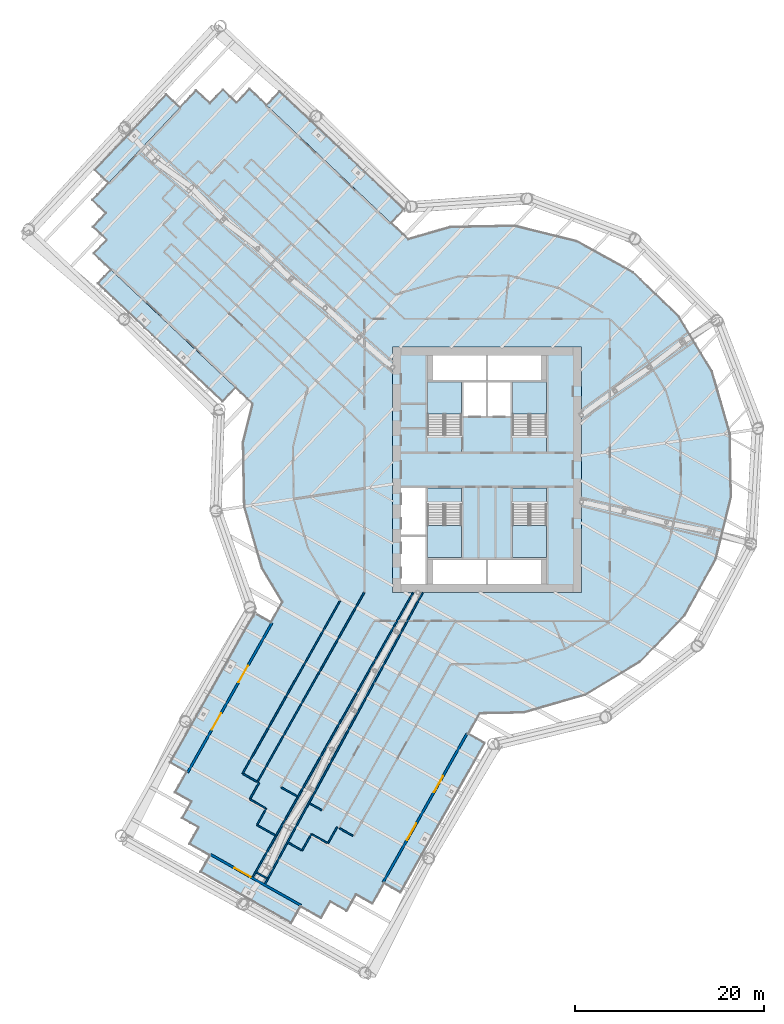
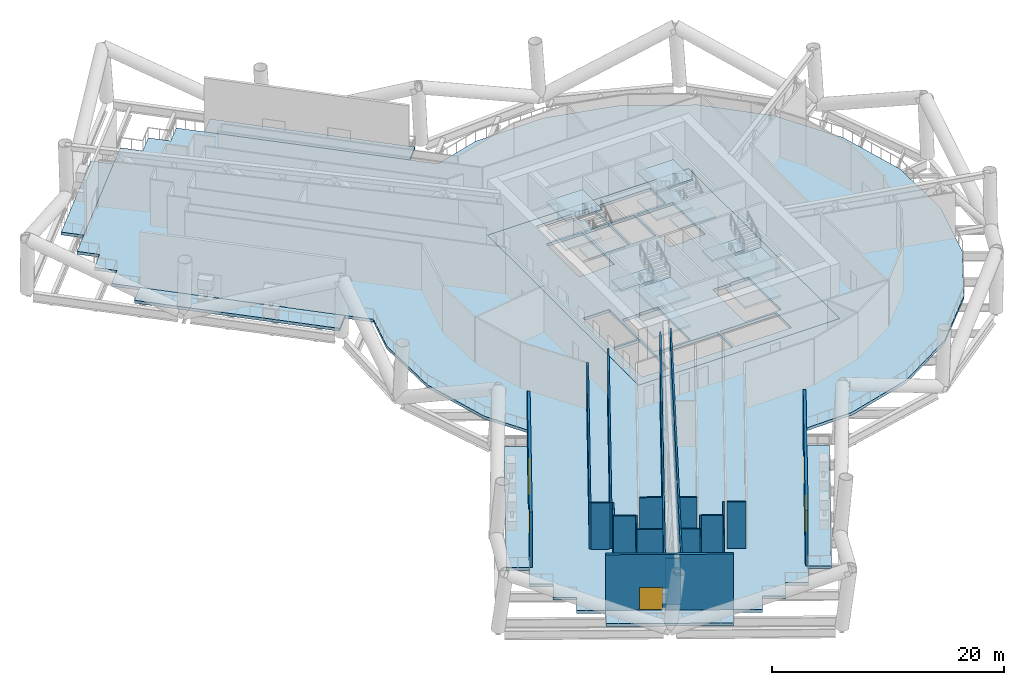
# One storey, part 13 of 39: 20 slabs, 20 walls, 5 doors, 5 openings, 4 elements without a shape of their own.
"""IFC4 building model written with IfcOpenShell, lengths in metres."""

import ifcopenshell
import ifcopenshell.guid

model = None  # the IFC model being written
_history = None  # IfcOwnerHistory: only IFC2X3 demands one
_inside = {}  # id of a spatial element -> (the spatial element, [elements in it])
_under = {}  # id of a project, library or spatial element -> (it, [spatial elements below it])
_declared = {}  # id of a project -> (the project, [libraries it declares])
_typed = {}  # id of a type object -> (the type object, [elements of that type])
_made_of = {}  # id of a material, layer set ... -> (it, [elements and type objects made of it])


def new_model(schema):
    """Start an empty IFC model of exactly this schema.

    Asked for "IFC4X3", IfcOpenShell would pick the latest addendum, in which some entities
    have other attributes; the version numbers below select the first issue.
    IFC2X3 requires an IfcOwnerHistory on every rooted entity: one is made here for all.
    """
    global model, _history
    if schema == "IFC4X3":
        model = ifcopenshell.file(schema_version=(4, 3, 0, 0))
    else:
        model = ifcopenshell.file(schema=schema)
    _inside.clear()
    _under.clear()
    _declared.clear()
    _typed.clear()
    _made_of.clear()
    _history = None
    if model.schema == "IFC2X3":
        org = make("IfcOrganization", Name="unknown")
        user = make(
            "IfcPersonAndOrganization",
            ThePerson=make("IfcPerson", FamilyName="unknown"),
            TheOrganization=org,
        )
        app = make(
            "IfcApplication",
            ApplicationDeveloper=org,
            Version="unknown",
            ApplicationFullName="unknown",
            ApplicationIdentifier="unknown",
        )
        _history = make(
            "IfcOwnerHistory",
            OwningUser=user,
            OwningApplication=app,
            ChangeAction="ADDED",
            CreationDate=0,
        )
    return model


def make(cls, **values):
    """One entity of the class cls with the attributes given. An attribute that is None is left unset."""
    return model.create_entity(
        cls, **{name: value for name, value in values.items() if value is not None}
    )


def rooted(cls, **values):
    """An entity with a GlobalId (a new one), such as an element, a storey or a relation."""
    return make(cls, GlobalId=ifcopenshell.guid.new(), OwnerHistory=_history, **values)


def si_unit(unit_type, name, prefix=None):
    """IfcSIUnit, for example si_unit("LENGTHUNIT", "METRE", prefix="MILLI")."""
    return make("IfcSIUnit", UnitType=unit_type, Prefix=prefix, Name=name)


def assignment(units):
    """IfcUnitAssignment: the units of a project."""
    return None if units is None else make("IfcUnitAssignment", Units=units)


def point(xyz):
    """IfcCartesianPoint."""
    return None if xyz is None else make("IfcCartesianPoint", Coordinates=xyz)


def direction(xyz):
    """IfcDirection."""
    return None if xyz is None else make("IfcDirection", DirectionRatios=xyz)


def frame(location, z_axis=None, x_axis=None):
    """IfcAxis2Placement3D, a coordinate frame: its origin and axes. An axis left out is left unset."""
    return make(
        "IfcAxis2Placement3D",
        Location=point(location),
        Axis=direction(z_axis),
        RefDirection=direction(x_axis),
    )


def frame_2d(location, x_axis=None):
    """IfcAxis2Placement2D, a coordinate frame in the plane: its origin and x axis."""
    return make(
        "IfcAxis2Placement2D", Location=point(location), RefDirection=direction(x_axis)
    )


def origin():
    """The frame at (0, 0, 0) with its axes left unset."""
    return frame((0.0, 0.0, 0.0))


def place(relative_to, where):
    """IfcLocalPlacement: puts the frame where relative to a parent placement (None: the world)."""
    return make(
        "IfcLocalPlacement", PlacementRelTo=relative_to, RelativePlacement=where
    )


def context(
    kind, dimensions, precision=None, world=None, true_north=None, identifier=None
):
    """IfcGeometricRepresentationContext, for example the 3D "Model" context."""
    return make(
        "IfcGeometricRepresentationContext",
        ContextIdentifier=identifier,
        ContextType=kind,
        CoordinateSpaceDimension=dimensions,
        Precision=precision,
        WorldCoordinateSystem=world,
        TrueNorth=true_north,
    )


def subcontext(parent, identifier, kind, view, scale=None):
    """IfcGeometricRepresentationSubContext, for example "Body" below "Model"."""
    return make(
        "IfcGeometricRepresentationSubContext",
        ContextIdentifier=identifier,
        ContextType=kind,
        ParentContext=parent,
        TargetScale=scale,
        TargetView=view,
    )


def project(units=None, contexts=None):
    """IfcProject with its units and contexts."""
    return rooted(
        "IfcProject",
        Name="project",
        RepresentationContexts=contexts,
        UnitsInContext=assignment(units),
    )


def spatial(cls, under=None, at=None, **own):
    """A site, building, storey or space (cls), placed at a placement, below another one or the project."""
    s = rooted(cls, ObjectPlacement=at, **own)
    if under is not None:
        _under.setdefault(under.id(), (under, []))[1].append(s)
    return s


def polyline(points):
    """IfcPolyline through the points."""
    return make("IfcPolyline", Points=[point(p) for p in points])


def profile(cls, at=None, kind="AREA", **sizes):
    """A parametric profile (cls). Its sizes go by their IFC names, for example OverallWidth=200.0."""
    return make(cls, ProfileType=kind, Position=at, **sizes)


def rectangle(**sizes):
    """IfcRectangleProfileDef."""
    return profile("IfcRectangleProfileDef", **sizes)


def outline(outer, holes=None, kind="AREA"):
    """IfcArbitraryClosedProfileDef: a profile drawn as a closed curve; with holes, ...WithVoids."""
    if holes is None:
        return make("IfcArbitraryClosedProfileDef", ProfileType=kind, OuterCurve=outer)
    return make(
        "IfcArbitraryProfileDefWithVoids",
        ProfileType=kind,
        OuterCurve=outer,
        InnerCurves=holes,
    )


def extrude(swept, where, along, depth):
    """IfcExtrudedAreaSolid: the profile swept, set in the frame where, extruded along a direction by depth."""
    return make(
        "IfcExtrudedAreaSolid",
        SweptArea=swept,
        Position=where,
        ExtrudedDirection=direction(along),
        Depth=depth,
    )


def shape(context_of_items, identifier, shape_type, items):
    """IfcShapeRepresentation: the items that make up one representation, for example the "Body"."""
    return make(
        "IfcShapeRepresentation",
        ContextOfItems=context_of_items,
        RepresentationIdentifier=identifier,
        RepresentationType=shape_type,
        Items=items,
    )


def material(Name=None, Category=None):
    """IfcMaterial."""
    return make("IfcMaterial", Name=Name, Category=Category)


def layer(
    of_material, thickness, ventilated=None, Name=None, Category=None, Priority=None
):
    """IfcMaterialLayer: one layer of a wall or slab, of a material (None: an air gap)."""
    return make(
        "IfcMaterialLayer",
        Material=of_material,
        LayerThickness=thickness,
        IsVentilated=ventilated,
        Name=Name,
        Category=Category,
        Priority=Priority,
    )


def layer_set(layers, Name=None):
    """IfcMaterialLayerSet."""
    return make("IfcMaterialLayerSet", MaterialLayers=layers, LayerSetName=Name)


def made_of(thing, what):
    """Note that an element or type object is made of a material, layer set ...; save() writes the relation."""
    if what is not None:
        _made_of.setdefault(what.id(), (what, []))[1].append(thing)
    return thing


def type_object(cls, material=None, **own):
    """A type object (cls), such as IfcWallType, which elements share."""
    return made_of(rooted(cls, **own), material)


def element(
    cls,
    number,
    at=None,
    inside=None,
    cuts=None,
    type_object=None,
    material=None,
    context=None,
    identifier="Body",
    shape_type=None,
    held_by="IfcProductDefinitionShape",
    body=None,
    shapes=None,
    **own,
):
    """One element of the class cls, such as IfcWall. Its Tag is "e" and its number.

    at: its placement. inside: the storey or other place that contains it. cuts: it is an
    opening in that element (IfcRelVoidsElement). A single representation is given by context,
    identifier, shape_type and body (its items); several are given by shapes. held_by: the class
    of the entity that holds the representations. save() writes the other relations.
    """
    e = rooted(cls, Tag="e%d" % number, ObjectPlacement=at, **own)
    if body is not None:
        shapes = [shape(context, identifier, shape_type, body)]
    if shapes is not None:
        e.Representation = make(held_by, Representations=shapes)
    if inside is not None:
        _inside.setdefault(inside.id(), (inside, []))[1].append(e)
    if cuts is not None:
        rooted(
            "IfcRelVoidsElement", RelatingBuildingElement=cuts, RelatedOpeningElement=e
        )
    if type_object is not None:
        _typed.setdefault(type_object.id(), (type_object, []))[1].append(e)
    return made_of(e, material)


def fill(opening, filler):
    """IfcRelFillsElement: the door or window that sits in an opening."""
    return rooted(
        "IfcRelFillsElement",
        RelatingOpeningElement=opening,
        RelatedBuildingElement=filler,
    )


def aggregate(whole, parts):
    """IfcRelAggregates: a whole, such as a stair, and the parts it consists of."""
    return rooted("IfcRelAggregates", RelatingObject=whole, RelatedObjects=parts)


def save(model, path):
    """Write the relations noted so far, then the file.

    IfcRelAggregates (storeys below a building ...), IfcRelContainedInSpatialStructure (elements
    in a storey), IfcRelDefinesByType, IfcRelAssociatesMaterial and IfcRelDeclares: one each for
    every whole, place, type object, material and project.
    """
    for whole, parts in _under.values():
        aggregate(whole, parts)
    for where, things in _inside.values():
        rooted(
            "IfcRelContainedInSpatialStructure",
            RelatedElements=things,
            RelatingStructure=where,
        )
    for kind, things in _typed.values():
        rooted("IfcRelDefinesByType", RelatedObjects=things, RelatingType=kind)
    for what, things in _made_of.values():
        rooted("IfcRelAssociatesMaterial", RelatedObjects=things, RelatingMaterial=what)
    for by, libraries in _declared.values():
        rooted("IfcRelDeclares", RelatingContext=by, RelatedDefinitions=libraries)
    model.write(path)


model = new_model("IFC4")

# Units and contexts
model_context = context("Model", 3, precision=1e-05, world=origin(), true_north=direction((0.0, 1.0)))
body_context = subcontext(model_context, "Body", "Model", "MODEL_VIEW")
ifc_project = project(units=[si_unit("LENGTHUNIT", "METRE"), si_unit("AREAUNIT", "SQUARE_METRE"), si_unit("VOLUMEUNIT", "CUBIC_METRE"), si_unit("PLANEANGLEUNIT", "RADIAN"), si_unit("MASSUNIT", "GRAM", prefix="KILO")], contexts=[model_context])

# Site, building, storey
site_placement = place(None, origin())
site = spatial("IfcSite", under=ifc_project, at=site_placement, CompositionType="ELEMENT")
building_placement = place(site_placement, origin())
building = spatial("IfcBuilding", under=site, at=building_placement, Name="Tarsis Ring Headquarters", CompositionType="ELEMENT")
storey_placement = place(building_placement, frame((0.0, 0.0, 86.800048828125)))
storey = spatial("IfcBuildingStorey", under=building, at=storey_placement, Name="L19", CompositionType="ELEMENT", Elevation=86.800048828125)

# Slabs
ifc_material_1 = material(Name="Concrete C40/50", Category="concrete")
ifc_layer_1 = layer(ifc_material_1, 0.159912109375)
ifc_layer_set_1 = layer_set([ifc_layer_1], Name="Balcony slab concrete C40/50")
slab_type_1 = type_object("IfcSlabType", Name="Balcony slab concrete C40/50", PredefinedType="FLOOR", material=ifc_layer_set_1)
slab_1_placement = place(storey_placement, frame((0.0, 0.0, -0.300048828125)))
element("IfcSlab", 1, at=slab_1_placement, inside=storey, type_object=slab_type_1, Name="Balcony slab L19-01", PredefinedType="FLOOR", context=body_context, shape_type="SweptSolid", body=[
    extrude(outline(polyline([(-39.84375, 21.183349609375), (-41.21826171875, 19.730712890625), (-28.019287109375, 7.240234375), (-26.644775390625, 8.69287109375), (-39.84375, 21.183349609375)])), origin(), (0.0, 0.0, 1.0), 0.300048828125),
])
slab_2_placement = place(storey_placement, frame((0.0, 0.0, -0.300048828125)))
element("IfcSlab", 2, at=slab_2_placement, inside=storey, type_object=slab_type_1, Name="Balcony slab L19-06", PredefinedType="FLOOR", context=body_context, shape_type="SweptSolid", body=[
    extrude(outline(polyline([(-22.893798828125, -16.167236328125), (-24.635986328125, -15.184814453125), (-33.562255859375, -31.013427734375), (-31.820068359375, -31.995849609375), (-22.893798828125, -16.167236328125)])), origin(), (0.0, 0.0, 1.0), 0.300048828125),
])
slab_3_placement = place(storey_placement, frame((0.0, 0.0, -0.300048828125)))
element("IfcSlab", 3, at=slab_3_placement, inside=storey, type_object=slab_type_1, Name="Balcony slab L19-11", PredefinedType="FLOOR", context=body_context, shape_type="SweptSolid", body=[
    extrude(outline(polyline([(-29.35107421875, -40.8505859375), (-30.33349609375, -42.592529296875), (-20.751953125, -47.995849609375), (-19.769775390625, -46.253662109375), (-29.35107421875, -40.8505859375)])), origin(), (0.0, 0.0, 1.0), 0.300048828125),
])
slab_4_placement = place(storey_placement, frame((0.0, 0.0, -0.300048828125)))
element("IfcSlab", 4, at=slab_4_placement, inside=storey, type_object=slab_type_1, Name="Balcony slab L19-16", PredefinedType="FLOOR", context=body_context, shape_type="SweptSolid", body=[
    extrude(outline(polyline([(-10.9150390625, -43.784912109375), (-9.1728515625, -44.767333984375), (-0.2568359375, -28.956787109375), (-1.9990234375, -27.974365234375), (-10.9150390625, -43.784912109375)])), origin(), (0.0, 0.0, 1.0), 0.300048828125),
])
slab_5_placement = place(storey_placement, frame((0.0, 0.0, -0.300048828125)))
element("IfcSlab", 5, at=slab_5_placement, inside=storey, type_object=slab_type_1, Name="Balcony slab L19-31", PredefinedType="FLOOR", context=body_context, shape_type="SweptSolid", body=[
    extrude(outline(polyline([(-10.16357421875, 26.13916015625), (-8.788818359375, 27.591796875), (-21.972900390625, 40.068115234375), (-23.347412109375, 38.615234375), (-10.16357421875, 26.13916015625)])), origin(), (0.0, 0.0, 1.0), 0.300048828125),
])
slab_6_placement = place(storey_placement, frame((0.0, 0.0, -0.300048828125)))
element("IfcSlab", 6, at=slab_6_placement, inside=storey, type_object=slab_type_1, Name="Balcony slab L19-36", PredefinedType="FLOOR", context=body_context, shape_type="SweptSolid", body=[
    extrude(outline(polyline([(-32.536376953125, 38.36181640625), (-33.989013671875, 39.736572265625), (-41.5498046875, 31.746826171875), (-40.09716796875, 30.372314453125), (-32.536376953125, 38.36181640625)])), origin(), (0.0, 0.0, 1.0), 0.300048828125),
])
ifc_layer_2 = layer(ifc_material_1, 0.300048828125)
ifc_layer_set_2 = layer_set([ifc_layer_2], Name="Core floor slab 300 C40/50")
slab_type_2 = type_object("IfcSlabType", Name="Core floor slab 300 C40/50", PredefinedType="FLOOR", material=ifc_layer_set_2)
slab_7_placement = place(storey_placement, frame((0.0, 0.0, -0.300048828125)))
element("IfcSlab", 7, at=slab_7_placement, inside=storey, type_object=slab_type_2, Name="L19 core floor slab", PredefinedType="FLOOR", context=body_context, shape_type="SweptSolid", body=[
    extrude(outline(polyline([(-10.0, -13.0), (10.0, -13.0), (10.0, 13.0), (-10.0, 13.0), (-10.0, -13.0)]), holes=[polyline([(-2.5, 5.699951171875), (-0.10009765625, 5.699951171875), (-0.10009765625, 9.300048828125), (-2.5, 9.300048828125), (-2.5, 5.699951171875)]), polyline([(0.10009765625, 5.699951171875), (2.5, 5.699951171875), (2.5, 9.300048828125), (0.10009765625, 9.300048828125), (0.10009765625, 5.699951171875)]), polyline([(-9.10009765625, -12.10009765625), (-6.5, -12.10009765625), (-6.5, -7.10009765625), (-9.10009765625, -7.10009765625), (-9.10009765625, -12.10009765625)]), polyline([(-9.10009765625, -6.89990234375), (-6.5, -6.89990234375), (-6.5, -1.89990234375), (-9.10009765625, -1.89990234375), (-9.10009765625, -6.89990234375)]), polyline([(-5.699951171875, 9.5), (-0.10009765625, 9.5), (-0.10009765625, 12.10009765625), (-5.699951171875, 12.10009765625), (-5.699951171875, 9.5)]), polyline([(0.10009765625, 9.5), (5.699951171875, 9.5), (5.699951171875, 12.10009765625), (0.10009765625, 12.10009765625), (0.10009765625, 9.5)]), polyline([(-5.699951171875, -12.10009765625), (-0.10009765625, -12.10009765625), (-0.10009765625, -9.5), (-5.699951171875, -9.5), (-5.699951171875, -12.10009765625)]), polyline([(0.10009765625, -12.10009765625), (5.699951171875, -12.10009765625), (5.699951171875, -9.5), (0.10009765625, -9.5), (0.10009765625, -12.10009765625)]), polyline([(-2.699951171875, 3.760009765625), (-2.699951171875, 9.300048828125), (-6.300048828125, 9.300048828125), (-6.300048828125, 3.659912109375), (-4.4599609375, 3.659912109375), (-4.4599609375, 3.760009765625), (-2.699951171875, 3.760009765625)]), polyline([(6.300048828125, 3.760009765625), (6.300048828125, 9.300048828125), (2.699951171875, 9.300048828125), (2.699951171875, 3.659912109375), (4.5400390625, 3.659912109375), (4.5400390625, 3.760009765625), (6.300048828125, 3.760009765625)]), polyline([(-6.300048828125, -3.760009765625), (-6.300048828125, -9.300048828125), (-2.699951171875, -9.300048828125), (-2.699951171875, -3.659912109375), (-4.5400390625, -3.659912109375), (-4.5400390625, -3.760009765625), (-6.300048828125, -3.760009765625)]), polyline([(2.699951171875, -3.760009765625), (2.699951171875, -9.300048828125), (6.300048828125, -9.300048828125), (6.300048828125, -3.659912109375), (4.4599609375, -3.659912109375), (4.4599609375, -3.760009765625), (2.699951171875, -3.760009765625)])]), origin(), (0.0, 0.0, 1.0), 0.300048828125),
])

# Stair, slabs
ifc_material_2 = material(Name="Core stair 1760")
stair_type = type_object("IfcStairType", Name="Core stair 1760", PredefinedType="HALF_TURN_STAIR", material=ifc_material_2)
stair_1_placement = place(storey_placement, origin())
stair_1 = element("IfcStair", 8, at=stair_1_placement, inside=storey, type_object=stair_type, Name="L19 Firefighting stair", PredefinedType="HALF_TURN_STAIR")
ifc_layer_3 = layer(ifc_material_1, 0.199951171875)
ifc_layer_set_3 = layer_set([ifc_layer_3], Name="Core stair landing 200")
slab_type_3 = type_object("IfcSlabType", Name="Core stair landing 200", PredefinedType="LANDING", material=ifc_layer_set_3)
slab_8_placement = place(storey_placement, frame((0.0, 0.0, 1.300048828125)))
slab_8 = element("IfcSlab", 9, at=slab_8_placement, type_object=slab_type_3, Name="Stair ST1 landing 1", PredefinedType="LANDING", context=body_context, shape_type="SweptSolid", body=[
    extrude(outline(polyline([(-2.699951171875, 5.89990234375), (-2.699951171875, 9.300048828125), (-6.300048828125, 9.300048828125), (-6.300048828125, 5.89990234375), (-2.699951171875, 5.89990234375)])), origin(), (0.0, 0.0, 1.0), 0.199951171875),
])
slab_9_placement = place(storey_placement, frame((0.0, 0.0, 2.800048828125)))
slab_9 = element("IfcSlab", 10, at=slab_9_placement, type_object=slab_type_3, Name="Stair ST1 landing 2", PredefinedType="LANDING", context=body_context, shape_type="SweptSolid", body=[
    extrude(outline(polyline([(-2.699951171875, 1.89990234375), (-2.699951171875, 3.659912109375), (-6.300048828125, 3.659912109375), (-6.300048828125, 1.89990234375), (-2.699951171875, 1.89990234375)])), origin(), (0.0, 0.0, 1.0), 0.199951171875),
])
slab_10_placement = place(storey_placement, frame((0.0, 0.0, 4.300048828125)))
slab_10 = element("IfcSlab", 11, at=slab_10_placement, type_object=slab_type_3, Name="Stair ST1 landing 3", PredefinedType="LANDING", context=body_context, shape_type="SweptSolid", body=[
    extrude(outline(polyline([(-2.699951171875, 5.89990234375), (-2.699951171875, 9.300048828125), (-6.300048828125, 9.300048828125), (-6.300048828125, 5.89990234375), (-2.699951171875, 5.89990234375)])), origin(), (0.0, 0.0, 1.0), 0.199951171875),
])
aggregate(stair_1, [slab_8, slab_9, slab_10])

stair_2_placement = place(storey_placement, origin())
stair_2 = element("IfcStair", 12, at=stair_2_placement, inside=storey, type_object=stair_type, Name="L19 Exit stair B", PredefinedType="HALF_TURN_STAIR")
slab_11_placement = place(storey_placement, frame((0.0, 0.0, 1.300048828125)))
slab_11 = element("IfcSlab", 13, at=slab_11_placement, type_object=slab_type_3, Name="Stair ST2 landing 1", PredefinedType="LANDING", context=body_context, shape_type="SweptSolid", body=[
    extrude(outline(polyline([(6.300048828125, 5.89990234375), (6.300048828125, 9.300048828125), (2.699951171875, 9.300048828125), (2.699951171875, 5.89990234375), (6.300048828125, 5.89990234375)])), origin(), (0.0, 0.0, 1.0), 0.199951171875),
])
slab_12_placement = place(storey_placement, frame((0.0, 0.0, 2.800048828125)))
slab_12 = element("IfcSlab", 14, at=slab_12_placement, type_object=slab_type_3, Name="Stair ST2 landing 2", PredefinedType="LANDING", context=body_context, shape_type="SweptSolid", body=[
    extrude(outline(polyline([(6.300048828125, 1.89990234375), (6.300048828125, 3.659912109375), (2.699951171875, 3.659912109375), (2.699951171875, 1.89990234375), (6.300048828125, 1.89990234375)])), origin(), (0.0, 0.0, 1.0), 0.199951171875),
])
slab_13_placement = place(storey_placement, frame((0.0, 0.0, 4.300048828125)))
slab_13 = element("IfcSlab", 15, at=slab_13_placement, type_object=slab_type_3, Name="Stair ST2 landing 3", PredefinedType="LANDING", context=body_context, shape_type="SweptSolid", body=[
    extrude(outline(polyline([(6.300048828125, 5.89990234375), (6.300048828125, 9.300048828125), (2.699951171875, 9.300048828125), (2.699951171875, 5.89990234375), (6.300048828125, 5.89990234375)])), origin(), (0.0, 0.0, 1.0), 0.199951171875),
])
aggregate(stair_2, [slab_11, slab_12, slab_13])

stair_3_placement = place(storey_placement, origin())
stair_3 = element("IfcStair", 16, at=stair_3_placement, inside=storey, type_object=stair_type, Name="L19 Exit stair C", PredefinedType="HALF_TURN_STAIR")
slab_14_placement = place(storey_placement, frame((0.0, 0.0, 1.300048828125)))
slab_14 = element("IfcSlab", 17, at=slab_14_placement, type_object=slab_type_3, Name="Stair ST3 landing 1", PredefinedType="LANDING", context=body_context, shape_type="SweptSolid", body=[
    extrude(outline(polyline([(-6.300048828125, -5.89990234375), (-6.300048828125, -9.300048828125), (-2.699951171875, -9.300048828125), (-2.699951171875, -5.89990234375), (-6.300048828125, -5.89990234375)])), origin(), (0.0, 0.0, 1.0), 0.199951171875),
])
slab_15_placement = place(storey_placement, frame((0.0, 0.0, 2.800048828125)))
slab_15 = element("IfcSlab", 18, at=slab_15_placement, type_object=slab_type_3, Name="Stair ST3 landing 2", PredefinedType="LANDING", context=body_context, shape_type="SweptSolid", body=[
    extrude(outline(polyline([(-6.300048828125, -1.89990234375), (-6.300048828125, -3.659912109375), (-2.699951171875, -3.659912109375), (-2.699951171875, -1.89990234375), (-6.300048828125, -1.89990234375)])), origin(), (0.0, 0.0, 1.0), 0.199951171875),
])
slab_16_placement = place(storey_placement, frame((0.0, 0.0, 4.300048828125)))
slab_16 = element("IfcSlab", 19, at=slab_16_placement, type_object=slab_type_3, Name="Stair ST3 landing 3", PredefinedType="LANDING", context=body_context, shape_type="SweptSolid", body=[
    extrude(outline(polyline([(-6.300048828125, -5.89990234375), (-6.300048828125, -9.300048828125), (-2.699951171875, -9.300048828125), (-2.699951171875, -5.89990234375), (-6.300048828125, -5.89990234375)])), origin(), (0.0, 0.0, 1.0), 0.199951171875),
])
aggregate(stair_3, [slab_14, slab_15, slab_16])

stair_4_placement = place(storey_placement, origin())
stair_4 = element("IfcStair", 20, at=stair_4_placement, inside=storey, type_object=stair_type, Name="L19 Exit stair D", PredefinedType="HALF_TURN_STAIR")
slab_17_placement = place(storey_placement, frame((0.0, 0.0, 1.300048828125)))
slab_17 = element("IfcSlab", 21, at=slab_17_placement, type_object=slab_type_3, Name="Stair ST4 landing 1", PredefinedType="LANDING", context=body_context, shape_type="SweptSolid", body=[
    extrude(outline(polyline([(2.699951171875, -5.89990234375), (2.699951171875, -9.300048828125), (6.300048828125, -9.300048828125), (6.300048828125, -5.89990234375), (2.699951171875, -5.89990234375)])), origin(), (0.0, 0.0, 1.0), 0.199951171875),
])
slab_18_placement = place(storey_placement, frame((0.0, 0.0, 2.800048828125)))
slab_18 = element("IfcSlab", 22, at=slab_18_placement, type_object=slab_type_3, Name="Stair ST4 landing 2", PredefinedType="LANDING", context=body_context, shape_type="SweptSolid", body=[
    extrude(outline(polyline([(2.699951171875, -1.89990234375), (2.699951171875, -3.659912109375), (6.300048828125, -3.659912109375), (6.300048828125, -1.89990234375), (2.699951171875, -1.89990234375)])), origin(), (0.0, 0.0, 1.0), 0.199951171875),
])
slab_19_placement = place(storey_placement, frame((0.0, 0.0, 4.300048828125)))
slab_19 = element("IfcSlab", 23, at=slab_19_placement, type_object=slab_type_3, Name="Stair ST4 landing 3", PredefinedType="LANDING", context=body_context, shape_type="SweptSolid", body=[
    extrude(outline(polyline([(2.699951171875, -5.89990234375), (2.699951171875, -9.300048828125), (6.300048828125, -9.300048828125), (6.300048828125, -5.89990234375), (2.699951171875, -5.89990234375)])), origin(), (0.0, 0.0, 1.0), 0.199951171875),
])
aggregate(stair_4, [slab_17, slab_18, slab_19])

# Slab
ifc_material_3 = material(Name="Concrete C35/45", Category="concrete")
ifc_layer_4 = layer(ifc_material_3, 0.300048828125)
ifc_layer_set_4 = layer_set([ifc_layer_4], Name="FS Composite floor slab 300")
slab_type_4 = type_object("IfcSlabType", Name="FS Composite floor slab 300", PredefinedType="FLOOR", material=ifc_layer_set_4)
slab_20_placement = place(storey_placement, frame((0.0, 0.0, -0.300048828125)))
element("IfcSlab", 24, at=slab_20_placement, inside=storey, type_object=slab_type_4, Name="Floor slab L19", PredefinedType="FLOOR", context=body_context, shape_type="SweptSolid", body=[
    extrude(outline(polyline([(-24.828857421875, 6.974609375), (-25.8369140625, 2.9072265625), (-25.708984375, -3.87890625), (-23.8291015625, -10.40087890625), (-21.665771484375, -13.98974609375), (-33.048095703125, -34.17333984375), (-31.305908203125, -35.15576171875), (-32.288330078125, -36.89794921875), (-30.54638671875, -37.88037109375), (-31.52880859375, -39.62255859375), (-17.592041015625, -47.481689453125), (-16.609619140625, -45.73974609375), (-14.867431640625, -46.72216796875), (-13.88525390625, -44.97998046875), (-12.14306640625, -45.96240234375), (-0.77099609375, -25.796630859375), (3.87890625, -25.708984375), (10.40087890625, -23.8291015625), (16.2138671875, -20.3251953125), (20.921875, -15.436279296875), (24.2041015625, -9.495361328125), (25.8369140625, -2.9072265625), (25.708984375, 3.87890625), (23.8291015625, 10.40087890625), (20.3251953125, 16.2138671875), (15.436279296875, 20.921875), (9.495361328125, 24.2041015625), (2.9072265625, 25.8369140625), (-3.87890625, 25.708984375), (-8.34765625, 24.4208984375), (-25.163330078125, 40.333740234375), (-26.5380859375, 38.881103515625), (-27.99072265625, 40.255615234375), (-29.365234375, 38.802978515625), (-30.818115234375, 40.177734375), (-41.8154296875, 28.556396484375), (-40.36279296875, 27.181640625), (-41.737548828125, 25.72900390625), (-40.284912109375, 24.354248046875), (-41.659423828125, 22.901611328125), (-24.828857421875, 6.974609375)]), holes=[polyline([(-10.0, -13.0), (-10.0, 13.0), (10.0, 13.0), (10.0, -13.0), (-10.0, -13.0)])]), origin(), (0.0, 0.0, 1.0), 0.300048828125),
])

# Walls
ifc_material_4 = material(Name="Gypsum board on steel studs", Category="steel")
ifc_layer_5 = layer(ifc_material_4, 0.14990234375)
ifc_layer_set_5 = layer_set([ifc_layer_5], Name="FL partition 150 EI 120 H4870")
wall_type_1 = type_object("IfcWallType", Name="FL partition 150 EI 120 H4870", PredefinedType="PARTITIONING", material=ifc_layer_set_5)
wall_1_placement = place(storey_placement, frame((-23.602783203125, -44.03466796875, 0.0), z_axis=(0.0, 0.0, 1.0), x_axis=(0.47594633399, 0.879474324333, 0.0)))
element("IfcWall", 25, at=wall_1_placement, inside=storey, type_object=wall_type_1, Name="Partition PW2H487", PredefinedType="PARTITIONING", context=body_context, shape_type="SweptSolid", body=[
    extrude(rectangle(XDim=35.286865234375, YDim=0.14990234375, at=frame_2d((17.6435546875, 0.0))), origin(), (0.0, 0.0, 1.0), 4.869873046875),
])
wall_2_placement = place(storey_placement, frame((-24.902587890625, -43.301513671875, 0.0), z_axis=(0.0, 0.0, 1.0), x_axis=(0.490705476007, 0.871325505088, 0.0)))
element("IfcWall", 26, at=wall_2_placement, inside=storey, type_object=wall_type_1, Name="Partition PW2H487", PredefinedType="PARTITIONING", context=body_context, shape_type="SweptSolid", body=[
    extrude(rectangle(XDim=34.7763671875, YDim=0.14990234375, at=frame_2d((17.38818359375, 0.0))), origin(), (0.0, 0.0, 1.0), 4.869873046875),
])
wall_3_placement = place(storey_placement, frame((-24.327880859375, -33.0625, 0.0), z_axis=(0.0, 0.0, 1.0), x_axis=(0.491211424755, 0.871040375752, 0.0)))
element("IfcWall", 27, at=wall_3_placement, inside=storey, type_object=wall_type_1, Name="Partition PW2H487", PredefinedType="PARTITIONING", context=body_context, shape_type="SweptSolid", body=[
    extrude(rectangle(XDim=23.06103515625, YDim=0.14990234375, at=frame_2d((11.530517578125, 0.0))), origin(), (0.0, 0.0, 1.0), 4.869873046875),
])
wall_4_placement = place(storey_placement, frame((-25.896240234375, -32.17919921875, 0.0), z_axis=(0.0, 0.0, 1.0), x_axis=(0.491210515796, 0.871040888346, 0.0)))
element("IfcWall", 28, at=wall_4_placement, inside=storey, type_object=wall_type_1, Name="Partition PW2H487", PredefinedType="PARTITIONING", context=body_context, shape_type="SweptSolid", body=[
    extrude(rectangle(XDim=20.983642578125, YDim=0.14990234375, at=frame_2d((10.49169921875, 0.0))), origin(), (0.0, 0.0, 1.0), 4.869873046875),
])
wall_5_placement = place(storey_placement, frame((-24.375244140625, -37.62939453125, 0.0), z_axis=(0.0, 0.0, 1.0), x_axis=(0.871054871125, -0.491185719957, 0.0)))
element("IfcWall", 29, at=wall_5_placement, inside=storey, type_object=wall_type_1, Name="Partition PW2H487", PredefinedType="PARTITIONING", context=body_context, shape_type="SweptSolid", body=[
    extrude(rectangle(XDim=2.24365234375, YDim=0.14990234375, at=frame_2d((1.121826171875, 0.0))), origin(), (0.0, 0.0, 1.0), 4.869873046875),
])
wall_6_placement = place(storey_placement, frame((-21.8046875, -33.63720703125, 0.0), z_axis=(0.0, 0.0, 1.0), x_axis=(0.87108352604, -0.491134900676, 0.0)))
element("IfcWall", 30, at=wall_6_placement, inside=storey, type_object=wall_type_1, Name="Partition PW2H487", PredefinedType="PARTITIONING", context=body_context, shape_type="SweptSolid", body=[
    extrude(rectangle(XDim=1.963134765625, YDim=0.14990234375, at=frame_2d((0.9814453125, 0.0))), origin(), (0.0, 0.0, 1.0), 4.869873046875),
])
wall_7_placement = place(storey_placement, frame((-15.635498046875, -37.9658203125, 0.0), z_axis=(0.0, 0.0, 1.0), x_axis=(0.871114002551, -0.491080843202, 0.0)))
element("IfcWall", 31, at=wall_7_placement, inside=storey, type_object=wall_type_1, Name="Partition PW2H487", PredefinedType="PARTITIONING", context=body_context, shape_type="SweptSolid", body=[
    extrude(rectangle(XDim=1.64013671875, YDim=0.14990234375, at=frame_2d((0.820068359375, 0.0))), origin(), (0.0, 0.0, 1.0), 4.869873046875),
])
wall_8_placement = place(storey_placement, frame((-25.82666015625, -32.218505859375, 0.0), z_axis=(0.0, 0.0, 1.0), x_axis=(0.871014401123, -0.491257481406, 0.0)))
element("IfcWall", 32, at=wall_8_placement, inside=storey, type_object=wall_type_1, Name="Partition PW2H487", PredefinedType="PARTITIONING", context=body_context, shape_type="SweptSolid", body=[
    extrude(rectangle(XDim=1.639892578125, YDim=0.14990234375, at=frame_2d((0.81982421875, 0.0))), origin(), (0.0, 0.0, 1.0), 4.869873046875),
])
for number, where, z_axis, x_axis, name in (
    (33, (-16.861572265625, -39.5703125, 0.0), (0.0, 0.0, 1.0), (0.491240449181, 0.871024007183, 0.0), "Partition PW2H487"),
    (34, (-19.586181640625, -40.329833984375, 0.0), (0.0, 0.0, 1.0), (0.491240449181, 0.871024007183, 0.0), "Partition PW2H487"),
):
    element("IfcWall", number, at=place(storey_placement, frame(where, z_axis=z_axis, x_axis=x_axis)), inside=storey, type_object=wall_type_1, Name=name, PredefinedType="PARTITIONING", context=body_context, shape_type="SweptSolid", body=[
        extrude(rectangle(XDim=2.0, YDim=0.14990234375, at=frame_2d((1.0, 0.0))), origin(), (0.0, 0.0, 1.0), 4.869873046875),
    ])
wall_9_placement = place(storey_placement, frame((-18.533935546875, -38.627197265625, 0.0), z_axis=(0.0, 0.0, 1.0), x_axis=(0.87102214506, -0.491243750916, 0.0)))
element("IfcWall", 35, at=wall_9_placement, inside=storey, type_object=wall_type_1, Name="Partition PW2H487", PredefinedType="PARTITIONING", context=body_context, shape_type="SweptSolid", body=[
    extrude(rectangle(XDim=1.83984375, YDim=0.14990234375, at=frame_2d((0.919921875, 0.0))), origin(), (0.0, 0.0, 1.0), 4.869873046875),
])
for number, where, z_axis, x_axis, name in (
    (36, (-24.336669921875, -37.556884765625, 0.0), (0.0, 0.0, 1.0), (0.491209765015, 0.871041311738, 0.0), "Partition PW2H487"),
    (37, (-25.134765625, -34.90478515625, 0.0), (0.0, 0.0, 1.0), (0.871041311738, -0.491209765015, 0.0), "Partition PW2H487"),
    (38, (-25.09619140625, -34.83251953125, 0.0), (0.0, 0.0, 1.0), (0.491113179844, 0.871095772337, 0.0), "Partition PW2H487"),
):
    element("IfcWall", number, at=place(storey_placement, frame(where, z_axis=z_axis, x_axis=x_axis)), inside=storey, type_object=wall_type_1, Name=name, PredefinedType="PARTITIONING", context=body_context, shape_type="SweptSolid", body=[
        extrude(rectangle(XDim=1.91796875, YDim=0.14990234375, at=frame_2d((0.958984375, 0.0))), origin(), (0.0, 0.0, 1.0), 4.869873046875),
    ])
wall_10_placement = place(storey_placement, frame((-21.05908203125, -39.499267578125, 0.0), z_axis=(0.0, 0.0, 1.0), x_axis=(0.871036668145, -0.491217999209, 0.0)))
element("IfcWall", 39, at=wall_10_placement, inside=storey, type_object=wall_type_1, Name="Partition PW2H487", PredefinedType="PARTITIONING", context=body_context, shape_type="SweptSolid", body=[
    extrude(rectangle(XDim=1.61083984375, YDim=0.14990234375, at=frame_2d((0.805419921875, 0.0))), origin(), (0.0, 0.0, 1.0), 4.869873046875),
])
wall_11_placement = place(storey_placement, frame((-18.802734375, -35.330078125, 0.0), z_axis=(0.0, 0.0, 1.0), x_axis=(0.871055578768, -0.49118446504, 0.0)))
element("IfcWall", 40, at=wall_11_placement, inside=storey, type_object=wall_type_1, Name="Partition PW2H487", PredefinedType="PARTITIONING", context=body_context, shape_type="SweptSolid", body=[
    extrude(rectangle(XDim=1.49365234375, YDim=0.14990234375, at=frame_2d((0.746826171875, 0.0))), origin(), (0.0, 0.0, 1.0), 4.869873046875),
])
wall_12_placement = place(storey_placement, frame((-24.4404296875, -42.643798828125, 0.0), z_axis=(0.0, 0.0, 1.0), x_axis=(0.87100083456, -0.491281534557, 0.0)))
element("IfcWall", 41, at=wall_12_placement, inside=storey, type_object=wall_type_1, Name="Partition PW2H487", PredefinedType="PARTITIONING", context=body_context, shape_type="SweptSolid", body=[
    extrude(rectangle(XDim=1.3173828125, YDim=0.14990234375, at=frame_2d((0.65869140625, 0.0))), origin(), (0.0, 0.0, 1.0), 4.869873046875),
])

# Wall, openings, doors
ifc_material_5 = material(Name="Terracotta clad insulated panel wall", Category="masonry")
ifc_layer_6 = layer(ifc_material_5, 0.25)
ifc_layer_set_6 = layer_set([ifc_layer_6], Name="Facade wall terracotta panel 250")
wall_type_2 = type_object("IfcWallType", Name="Facade wall terracotta panel 250", PredefinedType="STANDARD", material=ifc_layer_set_6)
wall_13_placement = place(storey_placement, frame((-22.784912109375, -16.228759765625, 0.0), z_axis=(0.0, 0.0, 1.0), x_axis=(-0.491208811676, -0.871041849357, 0.0)))
wall_13 = element("IfcWall", 42, at=wall_13_placement, inside=storey, type_object=wall_type_2, Name="External wall L19-02", PredefinedType="STANDARD", context=body_context, shape_type="SweptSolid", body=[
    extrude(rectangle(XDim=18.172119140625, YDim=0.25, at=frame_2d((9.0859375, 0.0))), origin(), (0.0, 0.0, 1.0), 5.83984375),
])
opening_1_placement = place(wall_13_placement, frame((5.189453125, 0.0, 0.0)))
opening_1 = element("IfcOpeningElement", 43, at=opening_1_placement, cuts=wall_13, Name="Opening L19-BD03", PredefinedType="OPENING", context=body_context, shape_type="SweptSolid", body=[
    extrude(rectangle(XDim=2.0, YDim=2.39990234375, at=frame_2d((1.0, 1.199951171875))), frame((0.0, 0.135009765625, 0.0), z_axis=(0.0, -1.0, 0.0), x_axis=(1.0, 0.0, 0.0)), (0.0, 0.0, 1.0), 0.27001953125),
])
opening_2_placement = place(wall_13_placement, frame((10.982421875, 0.0, 0.0)))
opening_2 = element("IfcOpeningElement", 44, at=opening_2_placement, cuts=wall_13, Name="Opening L19-BD04", PredefinedType="OPENING", context=body_context, shape_type="SweptSolid", body=[
    extrude(rectangle(XDim=2.0, YDim=2.39990234375, at=frame_2d((1.0, 1.199951171875))), frame((0.0, 0.135009765625, 0.0), z_axis=(0.0, -1.0, 0.0), x_axis=(1.0, 0.0, 0.0)), (0.0, 0.0, 1.0), 0.27001953125),
])
ifc_material_6 = material(Name="Aluminium framed double glazing", Category="aluminium")
door_type = type_object("IfcDoorType", Name="Balcony sliding door 2000 x 2400", OperationType="SLIDING_TO_LEFT", PredefinedType="DOOR", material=ifc_material_6)
door_1_placement = place(opening_1_placement, origin())
door_1 = element("IfcDoor", 45, at=door_1_placement, inside=storey, type_object=door_type, Name="Door L19-BD03", OperationType="SINGLE_SWING_LEFT", OverallHeight=2.39990234375, OverallWidth=2.0, PredefinedType="DOOR", context=body_context, shape_type="SweptSolid", body=[
    extrude(rectangle(XDim=2.0, YDim=2.39990234375, at=frame_2d((1.0, 1.199951171875))), frame((0.0, 0.02490234375, 0.0), z_axis=(0.0, -1.0, 0.0), x_axis=(1.0, 0.0, 0.0)), (0.0, 0.0, 1.0), 0.050048828125),
])
fill(opening_1, door_1)
door_2_placement = place(opening_2_placement, origin())
door_2 = element("IfcDoor", 46, at=door_2_placement, inside=storey, type_object=door_type, Name="Door L19-BD04", OperationType="SINGLE_SWING_LEFT", OverallHeight=2.39990234375, OverallWidth=2.0, PredefinedType="DOOR", context=body_context, shape_type="SweptSolid", body=[
    extrude(rectangle(XDim=2.0, YDim=2.39990234375, at=frame_2d((1.0, 1.199951171875))), frame((0.0, 0.02490234375, 0.0), z_axis=(0.0, -1.0, 0.0), x_axis=(1.0, 0.0, 0.0)), (0.0, 0.0, 1.0), 0.050048828125),
])
fill(opening_2, door_2)

# Wall, opening, door
wall_14_placement = place(storey_placement, frame((-29.289794921875, -40.74169921875, 0.0), z_axis=(0.0, 0.0, 1.0), x_axis=(0.871052248299, -0.491190371174, 0.0)))
wall_14 = element("IfcWall", 47, at=wall_14_placement, inside=storey, type_object=wall_type_2, Name="External wall L19-03", PredefinedType="STANDARD", context=body_context, shape_type="SweptSolid", body=[
    extrude(rectangle(XDim=11.0, YDim=0.25, at=frame_2d((5.5, 0.0))), origin(), (0.0, 0.0, 1.0), 5.83984375),
])
opening_3_placement = place(wall_14_placement, frame((2.89990234375, 0.0, 0.0)))
opening_3 = element("IfcOpeningElement", 48, at=opening_3_placement, cuts=wall_14, Name="Opening L19-BD05", PredefinedType="OPENING", context=body_context, shape_type="SweptSolid", body=[
    extrude(rectangle(XDim=2.0, YDim=2.39990234375, at=frame_2d((1.0, 1.199951171875))), frame((0.0, 0.135009765625, 0.0), z_axis=(0.0, -1.0, 0.0), x_axis=(1.0, 0.0, 0.0)), (0.0, 0.0, 1.0), 0.27001953125),
])
door_3_placement = place(opening_3_placement, origin())
door_3 = element("IfcDoor", 49, at=door_3_placement, inside=storey, type_object=door_type, Name="Door L19-BD05", OperationType="SINGLE_SWING_LEFT", OverallHeight=2.39990234375, OverallWidth=2.0, PredefinedType="DOOR", context=body_context, shape_type="SweptSolid", body=[
    extrude(rectangle(XDim=2.0, YDim=2.39990234375, at=frame_2d((1.0, 1.199951171875))), frame((0.0, 0.02490234375, 0.0), z_axis=(0.0, -1.0, 0.0), x_axis=(1.0, 0.0, 0.0)), (0.0, 0.0, 1.0), 0.050048828125),
])
fill(opening_3, door_3)

# Wall, openings, doors
wall_15_placement = place(storey_placement, frame((-11.02392578125, -43.723388671875, 0.0), z_axis=(0.0, 0.0, 1.0), x_axis=(0.491206066596, 0.871043397392, 0.0)))
wall_15 = element("IfcWall", 50, at=wall_15_placement, inside=storey, type_object=wall_type_2, Name="External wall L19-04", PredefinedType="STANDARD", context=body_context, shape_type="SweptSolid", body=[
    extrude(rectangle(XDim=18.1513671875, YDim=0.25, at=frame_2d((9.07568359375, 0.0))), origin(), (0.0, 0.0, 1.0), 5.83984375),
])
opening_4_placement = place(wall_15_placement, frame((5.181640625, 0.0, 0.0)))
opening_4 = element("IfcOpeningElement", 51, at=opening_4_placement, cuts=wall_15, Name="Opening L19-BD06", PredefinedType="OPENING", context=body_context, shape_type="SweptSolid", body=[
    extrude(rectangle(XDim=2.0, YDim=2.39990234375, at=frame_2d((1.0, 1.199951171875))), frame((0.0, 0.135009765625, 0.0), z_axis=(0.0, -1.0, 0.0), x_axis=(1.0, 0.0, 0.0)), (0.0, 0.0, 1.0), 0.27001953125),
])
opening_5_placement = place(wall_15_placement, frame((10.969482421875, 0.0, 0.0)))
opening_5 = element("IfcOpeningElement", 52, at=opening_5_placement, cuts=wall_15, Name="Opening L19-BD07", PredefinedType="OPENING", context=body_context, shape_type="SweptSolid", body=[
    extrude(rectangle(XDim=2.0, YDim=2.39990234375, at=frame_2d((1.0, 1.199951171875))), frame((0.0, 0.135009765625, 0.0), z_axis=(0.0, -1.0, 0.0), x_axis=(1.0, 0.0, 0.0)), (0.0, 0.0, 1.0), 0.27001953125),
])
door_4_placement = place(opening_4_placement, origin())
door_4 = element("IfcDoor", 53, at=door_4_placement, inside=storey, type_object=door_type, Name="Door L19-BD06", OperationType="SINGLE_SWING_LEFT", OverallHeight=2.39990234375, OverallWidth=2.0, PredefinedType="DOOR", context=body_context, shape_type="SweptSolid", body=[
    extrude(rectangle(XDim=2.0, YDim=2.39990234375, at=frame_2d((1.0, 1.199951171875))), frame((0.0, 0.02490234375, 0.0), z_axis=(0.0, -1.0, 0.0), x_axis=(1.0, 0.0, 0.0)), (0.0, 0.0, 1.0), 0.050048828125),
])
fill(opening_4, door_4)
door_5_placement = place(opening_5_placement, origin())
door_5 = element("IfcDoor", 54, at=door_5_placement, inside=storey, type_object=door_type, Name="Door L19-BD07", OperationType="SINGLE_SWING_LEFT", OverallHeight=2.39990234375, OverallWidth=2.0, PredefinedType="DOOR", context=body_context, shape_type="SweptSolid", body=[
    extrude(rectangle(XDim=2.0, YDim=2.39990234375, at=frame_2d((1.0, 1.199951171875))), frame((0.0, 0.02490234375, 0.0), z_axis=(0.0, -1.0, 0.0), x_axis=(1.0, 0.0, 0.0)), (0.0, 0.0, 1.0), 0.050048828125),
])
fill(opening_5, door_5)

save(model, "model.ifc")
